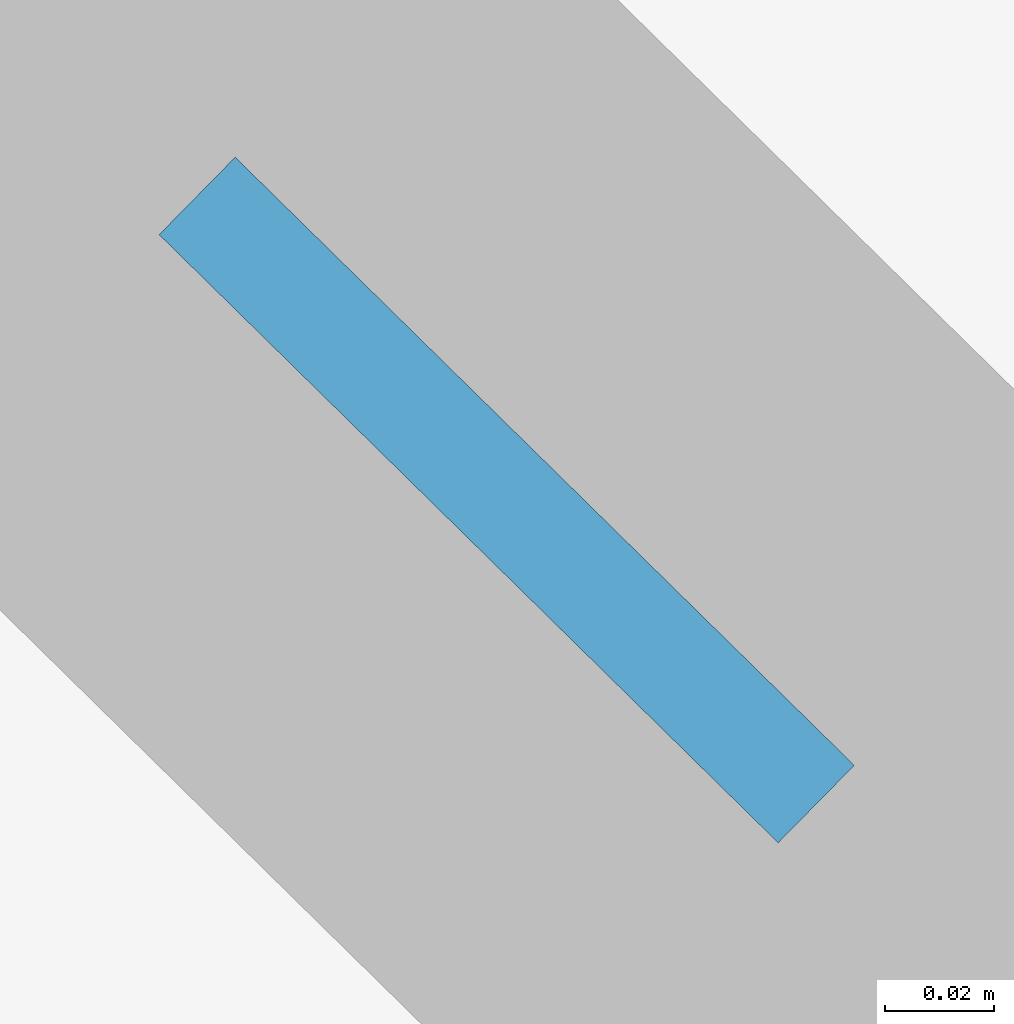
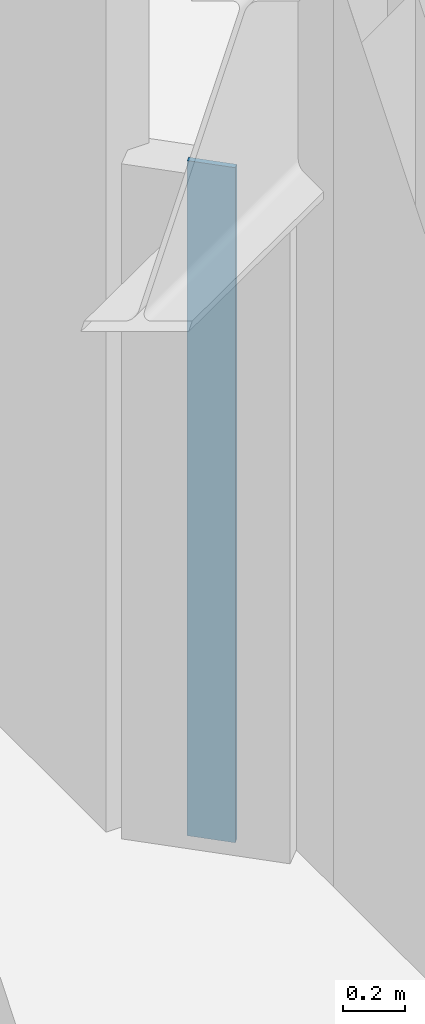
# One storey, part 3 of 9: 1 plate.
"""IFC4 building model written with IfcOpenShell, lengths in metres."""

from ifc_helpers import new_model, si_unit, direction, frame, origin, origin_2d, place, context, subcontext, project, spatial, rectangle, extrude, material, layer, layer_set, type_object, element, save


model = new_model("IFC4")

# Units and contexts
model_context = context("Model", 3, precision=1e-05, world=origin(), true_north=direction((0.0, 1.0)))
body_context = subcontext(model_context, "Body", "Model", "MODEL_VIEW")
ifc_project = project(units=[si_unit("LENGTHUNIT", "METRE"), si_unit("AREAUNIT", "SQUARE_METRE"), si_unit("VOLUMEUNIT", "CUBIC_METRE"), si_unit("PLANEANGLEUNIT", "RADIAN"), si_unit("MASSUNIT", "GRAM", prefix="KILO")], contexts=[model_context])

# Site, building, storey
site_placement = place(None, origin())
site = spatial("IfcSite", under=ifc_project, at=site_placement, CompositionType="ELEMENT")
building_placement = place(site_placement, origin())
building = spatial("IfcBuilding", under=site, at=building_placement, Name="Miruveldt Soraemaru", CompositionType="ELEMENT")
storey_placement = place(building_placement, frame((0.0, 0.0, 275.10009765625)))
storey = spatial("IfcBuildingStorey", under=building, at=storey_placement, Name="L75", CompositionType="ELEMENT", Elevation=275.10009765625)

# Plate
ifc_material = material(Name="Anodised aluminium EN AW-6063 T6", Category="aluminium")
ifc_layer = layer(ifc_material, 0.02001953125, Name="Anodised aluminium EN AW-6063 T6", Category="aluminium")
ifc_layer_set = layer_set([ifc_layer], Name="Anodised aluminium EN AW-6063 T6")
plate_type = type_object("IfcPlateType", Name="PLT-PART-TRIM", PredefinedType="SHEET", material=ifc_layer_set)
plate_placement = place(storey_placement, frame((35.14990234375, 52.8564453125, 0.0), z_axis=(0.0, 0.0, 1.0), x_axis=(0.713372770034, -0.700784767938, 0.0)))
element("IfcPlate", 1, at=plate_placement, inside=storey, type_object=plate_type, Name="L75 Partition Step Corner Trim Plate 001", PredefinedType="SHEET", context=body_context, shape_type="SweptSolid", body=[
    extrude(rectangle(XDim=0.159912109375, YDim=0.02001953125, at=origin_2d()), origin(), (0.0, 0.0, 1.0), 2.653076171875),
])

save(model, "model.ifc")
